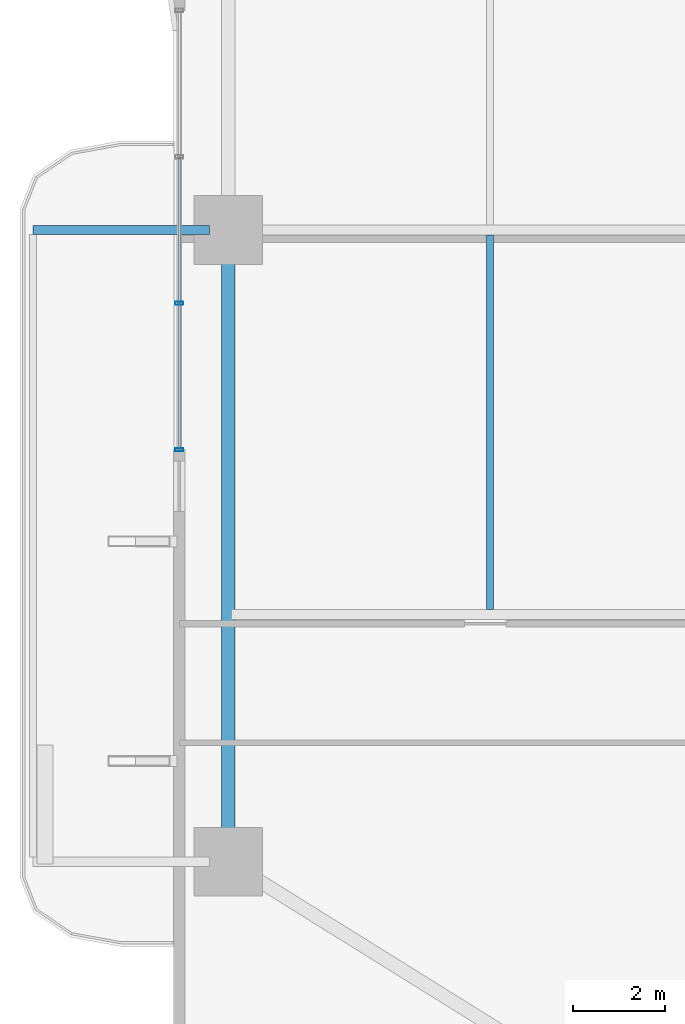
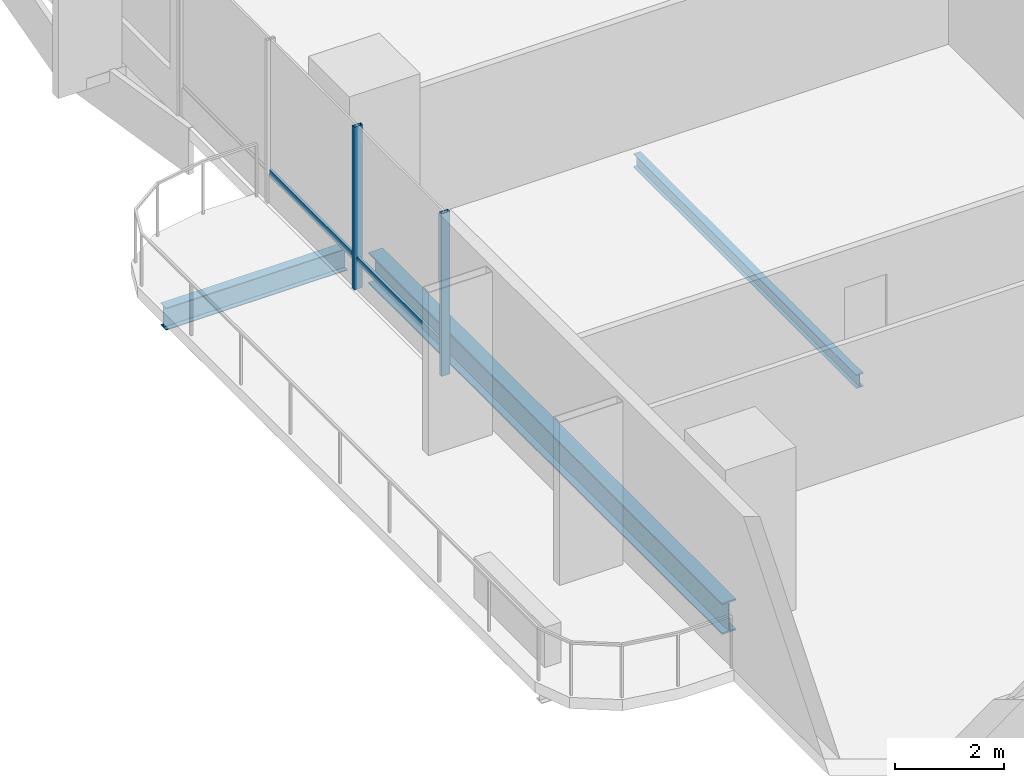
# One storey, part 4 of 23: 4 members, 3 beams, 1 element without a shape of its own.
"""IFC4 building model written with IfcOpenShell, lengths in metres."""

from ifc_helpers import new_model, si_unit, direction, frame, origin, origin_2d, place, context, subcontext, project, spatial, hollow_rectangle, i_section, extrude, material, layer, layer_set, material_profile, profile_set, type_object, element, aggregate, save


model = new_model("IFC4")

# Units and contexts
model_context = context("Model", 3, precision=1e-05, world=origin(), true_north=direction((0.0, 1.0)))
body_context = subcontext(model_context, "Body", "Model", "MODEL_VIEW")
ifc_project = project(units=[si_unit("LENGTHUNIT", "METRE"), si_unit("AREAUNIT", "SQUARE_METRE"), si_unit("VOLUMEUNIT", "CUBIC_METRE"), si_unit("PLANEANGLEUNIT", "RADIAN"), si_unit("MASSUNIT", "GRAM", prefix="KILO")], contexts=[model_context])

# Site, building, storey
site_placement = place(None, origin())
site = spatial("IfcSite", under=ifc_project, at=site_placement, CompositionType="ELEMENT")
building_placement = place(site_placement, origin())
building = spatial("IfcBuilding", under=site, at=building_placement, Name="Belovzor Exchange Tower", CompositionType="ELEMENT")
storey_placement = place(building_placement, frame((0.0, 0.0, 84.60009765625)))
storey = spatial("IfcBuildingStorey", under=building, at=storey_placement, Name="L20", CompositionType="ELEMENT", Elevation=84.60009765625)

# Beams
ifc_material_1 = material(Name="Steel S355", Category="steel")
ifc_material_profile_1 = material_profile(ifc_material_1, i_section(OverallWidth=0.199951171875, OverallDepth=0.5, WebThickness=0.01025390625, FlangeThickness=0.01611328125, at=origin_2d()))
ifc_profile_set_1 = profile_set([ifc_material_profile_1], Name="Steel S355")
beam_type_1 = type_object("IfcBeamType", Name="Planted Balcony Cantilever Beam IPE 500", PredefinedType="BEAM", material=ifc_profile_set_1)
beam_1_placement = place(storey_placement, frame((1.68798828125, 28.800048828125, -0.5), z_axis=(-1.0, 0.0, 0.0), x_axis=(0.0, -1.0, 0.0)))
element("IfcBeam", 1, at=beam_1_placement, inside=storey, type_object=beam_type_1, Name="BC-500 Planted Balcony Cantilever Beam IPE 500", PredefinedType="BEAM", context=body_context, shape_type="SweptSolid", body=[
    extrude(i_section(OverallWidth=0.199951171875, OverallDepth=0.5, WebThickness=0.01025390625, FlangeThickness=0.01611328125, at=origin_2d()), origin(), (0.0, 0.0, 1.0), 3.85009765625),
])
ifc_material_2 = material(Name="Steel S355", Category="steel")
ifc_material_profile_2 = material_profile(ifc_material_2, i_section(OverallWidth=0.14990234375, OverallDepth=0.300048828125, WebThickness=0.007080078125, FlangeThickness=0.0107421875, at=origin_2d()))
ifc_profile_set_2 = profile_set([ifc_material_profile_2], Name="Steel S355")
beam_type_2 = type_object("IfcBeamType", Name="Secondary Trim Floor Joist IPE 300", PredefinedType="BEAM", material=ifc_profile_set_2)
beam_2_placement = place(storey_placement, frame((7.81494140625, 20.5048828125, -0.400146484375), z_axis=(0.0, 1.0, 0.0), x_axis=(-1.0, 0.0, 0.0)))
element("IfcBeam", 2, at=beam_2_placement, inside=storey, type_object=beam_type_2, Name="FJ-300 Secondary Trim Floor Joist IPE 300", PredefinedType="BEAM", context=body_context, shape_type="SweptSolid", body=[
    extrude(i_section(OverallWidth=0.14990234375, OverallDepth=0.300048828125, WebThickness=0.007080078125, FlangeThickness=0.0107421875, at=origin_2d()), origin(), (0.0, 0.0, 1.0), 8.190185546875),
])

# Curtain wall, members
ifc_material_3 = material(Name="Anodised Aluminium Framing", Category="aluminium")
ifc_layer = layer(ifc_material_3, 0.179931640625)
ifc_layer_set = layer_set([ifc_layer], Name="Anodised Aluminium Framing")
curtain_wall_type = type_object("IfcCurtainWallType", Name="Recessed Loggia Low-Iron Triple-Glazed Curtain Wall", PredefinedType="NOTDEFINED", material=ifc_layer_set)
curtain_wall_placement = place(storey_placement, origin())
curtain_wall = element("IfcCurtainWall", 3, at=curtain_wall_placement, inside=storey, type_object=curtain_wall_type, Name="CW3 Recessed Loggia Low-Iron Triple-Glazed Curtain Wall L20", PredefinedType="NOTDEFINED")
ifc_material_4 = material(Name="Steel S355", Category="steel")
ifc_material_profile_3 = material_profile(ifc_material_4, hollow_rectangle(XDim=0.074951171875, YDim=0.179931640625, WallThickness=0.0048828125, at=origin_2d()))
ifc_profile_set_3 = profile_set([ifc_material_profile_3], Name="Steel S355")
member_type_1 = type_object("IfcMemberType", Name="Thermally Broken Curtain Wall Mullion 180x75", PredefinedType="MULLION", material=ifc_profile_set_3)
member_1_placement = place(storey_placement, frame((1.030029296875, 24.0, 0.0), z_axis=(0.0, 0.0, 1.0), x_axis=(0.0, 1.0, 0.0)))
member_1 = element("IfcMember", 4, at=member_1_placement, type_object=member_type_1, Name="CW-M180 Curtain Wall Mullion 1", PredefinedType="MULLION", context=body_context, shape_type="SweptSolid", body=[
    extrude(hollow_rectangle(XDim=0.074951171875, YDim=0.179931640625, WallThickness=0.0048828125, at=origin_2d()), origin(), (0.0, 0.0, 1.0), 3.64990234375),
])
member_2_placement = place(storey_placement, frame((1.030029296875, 27.199951171875, 0.0), z_axis=(0.0, 0.0, 1.0), x_axis=(0.0, 1.0, 0.0)))
member_2 = element("IfcMember", 5, at=member_2_placement, type_object=member_type_1, Name="CW-M180 Curtain Wall Mullion 2", PredefinedType="MULLION", context=body_context, shape_type="SweptSolid", body=[
    extrude(hollow_rectangle(XDim=0.074951171875, YDim=0.179931640625, WallThickness=0.0048828125, at=origin_2d()), origin(), (0.0, 0.0, 1.0), 3.64990234375),
])
ifc_material_5 = material(Name="Steel S355", Category="steel")
ifc_material_profile_4 = material_profile(ifc_material_5, hollow_rectangle(XDim=0.06005859375, YDim=0.14990234375, WallThickness=0.00390625, at=origin_2d()))
ifc_profile_set_4 = profile_set([ifc_material_profile_4], Name="Steel S355")
member_type_2 = type_object("IfcMemberType", Name="Thermally Broken Curtain Wall Transom 150x60", PredefinedType="USERDEFINED", material=ifc_profile_set_4)
member_3_placement = place(storey_placement, frame((1.030029296875, 24.008056640625, 0.64990234375), z_axis=(0.0, 1.0, 0.0), x_axis=(-1.0, 0.0, 0.0)))
member_3 = element("IfcMember", 6, at=member_3_placement, type_object=member_type_2, Name="CW-T150 Curtain Wall Transom 1", ObjectType="TRANSOM", PredefinedType="USERDEFINED", context=body_context, shape_type="SweptSolid", body=[
    extrude(hollow_rectangle(XDim=0.06005859375, YDim=0.14990234375, WallThickness=0.00390625, at=origin_2d()), origin(), (0.0, 0.0, 1.0), 3.183837890625),
])
member_4_placement = place(storey_placement, frame((1.030029296875, 27.2080078125, 0.64990234375), z_axis=(0.0, 1.0, 0.0), x_axis=(-1.0, 0.0, 0.0)))
member_4 = element("IfcMember", 7, at=member_4_placement, type_object=member_type_2, Name="CW-T150 Curtain Wall Transom 2", ObjectType="TRANSOM", PredefinedType="USERDEFINED", context=body_context, shape_type="SweptSolid", body=[
    extrude(hollow_rectangle(XDim=0.06005859375, YDim=0.14990234375, WallThickness=0.00390625, at=origin_2d()), origin(), (0.0, 0.0, 1.0), 3.18408203125),
])
aggregate(curtain_wall, [member_1, member_2, member_3, member_4])

# Beam
ifc_material_6 = material(Name="Steel S355", Category="steel")
ifc_material_profile_5 = material_profile(ifc_material_6, i_section(OverallWidth=0.300048828125, OverallDepth=0.699951171875, WebThickness=0.01708984375, FlangeThickness=0.031982421875, at=origin_2d()))
ifc_profile_set_5 = profile_set([ifc_material_profile_5], Name="Steel S355")
beam_type_3 = type_object("IfcBeamType", Name="Zone 1 Primary Perimeter Girder HEB 700", PredefinedType="BEAM", material=ifc_profile_set_5)
beam_3_placement = place(storey_placement, frame((2.10009765625, 28.386962890625, -0.60009765625), z_axis=(0.0, -1.0, 0.0), x_axis=(1.0, 0.0, 0.0)))
element("IfcBeam", 8, at=beam_3_placement, inside=storey, type_object=beam_type_3, Name="FG-Z1 Zone 1 Primary Perimeter Girder HEB 700", PredefinedType="BEAM", context=body_context, shape_type="SweptSolid", body=[
    extrude(i_section(OverallWidth=0.300048828125, OverallDepth=0.699951171875, WebThickness=0.01708984375, FlangeThickness=0.031982421875, at=origin_2d()), origin(), (0.0, 0.0, 1.0), 12.974853515625),
])

save(model, "model.ifc")
